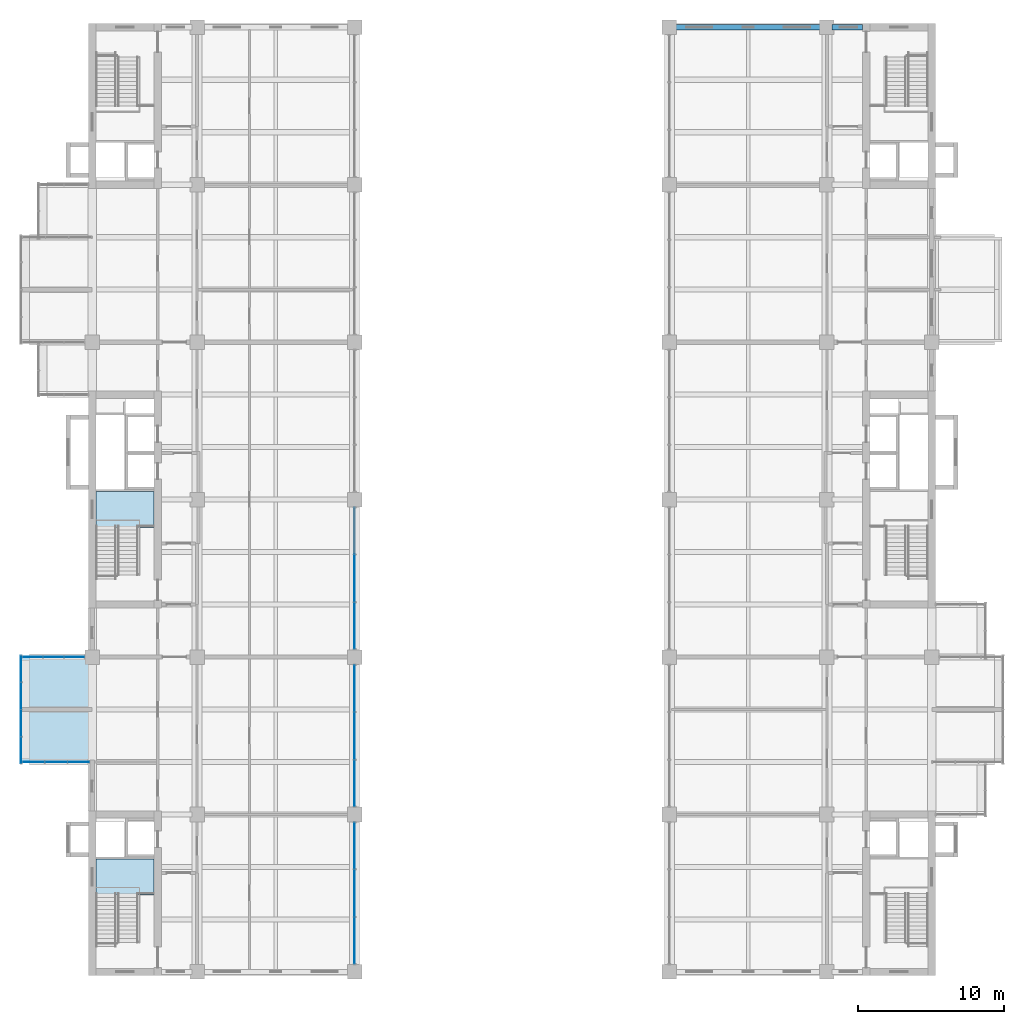
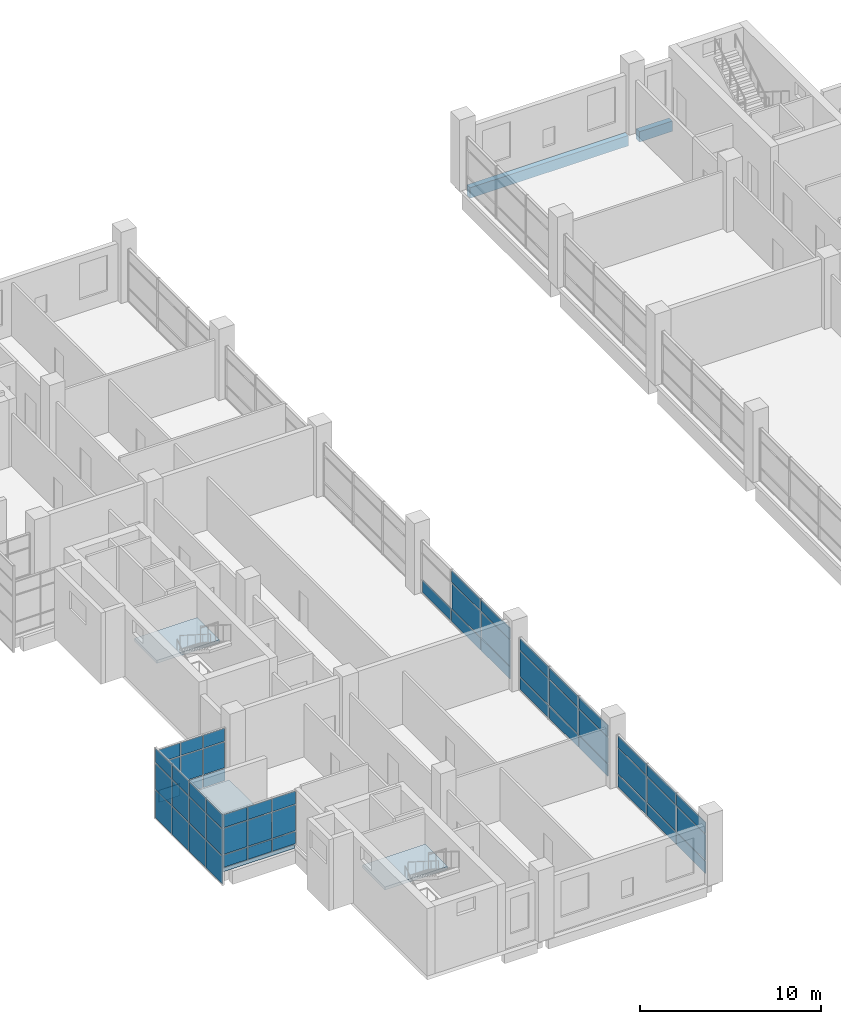
# One storey, part 16 of 30: 55 plates, 3 slabs, 2 beams, 8 elements without a shape of their own.
"""IFC4 building model written with IfcOpenShell, lengths in metres."""

from ifc_helpers import new_model, si_unit, direction, frame, origin, origin_2d, place, context, subcontext, project, spatial, polyline, rectangle, outline, extrude, material, layer, layer_set, material_profile, profile_set, type_object, element, aggregate, save


model = new_model("IFC4")

# Units and contexts
model_context = context("Model", 3, precision=1e-05, world=origin(), true_north=direction((0.0, 1.0)))
body_context = subcontext(model_context, "Body", "Model", "MODEL_VIEW")
ifc_project = project(units=[si_unit("LENGTHUNIT", "METRE"), si_unit("AREAUNIT", "SQUARE_METRE"), si_unit("VOLUMEUNIT", "CUBIC_METRE"), si_unit("PLANEANGLEUNIT", "RADIAN"), si_unit("MASSUNIT", "GRAM", prefix="KILO")], contexts=[model_context])

# Site, building, storey
site_placement = place(None, origin())
site = spatial("IfcSite", under=ifc_project, at=site_placement, CompositionType="ELEMENT")
building_placement = place(site_placement, origin())
building = spatial("IfcBuilding", under=site, at=building_placement, Name="Basin Gate Institute", CompositionType="ELEMENT")
storey_placement = place(building_placement, frame((0.0, 0.0, 36.60009765625)))
storey = spatial("IfcBuildingStorey", under=building, at=storey_placement, Name="L07", CompositionType="ELEMENT", Elevation=36.60009765625)

# Beams
ifc_material_1 = material(Name="Concrete 40 MPa", Category="concrete")
ifc_material_profile = material_profile(ifc_material_1, rectangle(XDim=0.35009765625, YDim=0.699951171875, at=origin_2d()), Name="Beam B1 350 x 700")
ifc_profile_set = profile_set([ifc_material_profile], Name="Concrete 40 MPa")
beam_type = type_object("IfcBeamType", Name="Beam B1 R120", PredefinedType="BEAM", material=ifc_profile_set)
beam_1_placement = place(storey_placement, frame((111.25, 99.89990234375, -0.60009765625), z_axis=(-1.0, 0.0, 0.0), x_axis=(0.0, -1.0, 0.0)))
element("IfcBeam", 1, at=beam_1_placement, inside=storey, type_object=beam_type, material=ifc_profile_set, Name="BEAM/L07/E/EW/19", PredefinedType="BEAM", context=body_context, shape_type="SweptSolid", body=[
    extrude(rectangle(XDim=0.35009765625, YDim=0.699951171875, at=origin_2d()), origin(), (0.0, 0.0, 1.0), 10.10009765625),
])
beam_2_placement = place(storey_placement, frame((114.050048828125, 99.89990234375, -0.60009765625), z_axis=(-1.0, 0.0, 0.0), x_axis=(0.0, -1.0, 0.0)))
element("IfcBeam", 2, at=beam_2_placement, inside=storey, type_object=beam_type, material=ifc_profile_set, Name="BEAM/L07/E/CORR/19", PredefinedType="BEAM", context=body_context, shape_type="SweptSolid", body=[
    extrude(rectangle(XDim=0.35009765625, YDim=0.699951171875, at=origin_2d()), origin(), (0.0, 0.0, 1.0), 2.10009765625),
])

# Slab
ifc_material_2 = material(Name="Concrete 40 MPa", Category="concrete")
ifc_layer_1 = layer(ifc_material_2, 0.25)
ifc_layer_set_1 = layer_set([ifc_layer_1], Name="Concrete 40 MPa")
slab_type_1 = type_object("IfcSlabType", Name="Slab SL4 R120", PredefinedType="FLOOR", material=ifc_layer_set_1)
slab_1_placement = place(storey_placement, frame((0.0, 0.0, -0.25)))
element("IfcSlab", 3, at=slab_1_placement, inside=storey, type_object=slab_type_1, material=ifc_layer_set_1, Name="SLAB/L07/WK12", PredefinedType="FLOOR", context=body_context, shape_type="SweptSolid", body=[
    extrude(outline(polyline([(60.949951171875, 49.5), (56.39990234375, 49.5), (56.39990234375, 56.699951171875), (60.949951171875, 56.699951171875), (60.949951171875, 49.5)])), origin(), (0.0, 0.0, 1.0), 0.25),
])

# Curtain wall, plates
ifc_material_3 = material(Name="Aluminium-framed glazing", Category="aluminium")
ifc_layer_2 = layer(ifc_material_3, 0.199951171875)
ifc_layer_set_2 = layer_set([ifc_layer_2], Name="Atrium curtain wall CW2")
curtain_wall_type_1 = type_object("IfcCurtainWallType", Name="Atrium curtain wall CW2", PredefinedType="NOTDEFINED", material=ifc_layer_set_2)
curtain_wall_1_placement = place(storey_placement, origin())
curtain_wall_1 = element("IfcCurtainWall", 4, at=curtain_wall_1_placement, inside=storey, type_object=curtain_wall_type_1, material=ifc_layer_set_2, Name="Atrium curtain wall W wing atrium bay 1 L07", PredefinedType="NOTDEFINED")
ifc_material_4 = material(Name="Aluminium insulated spandrel panel", Category="aluminium")
ifc_layer_3 = layer(ifc_material_4, 0.050048828125)
ifc_layer_set_3 = layer_set([ifc_layer_3], Name="Spandrel panel PN2")
plate_type_1 = type_object("IfcPlateType", Name="Spandrel panel PN2", PredefinedType="CURTAIN_PANEL", material=ifc_layer_set_3)
plate_1_placement = place(storey_placement, frame((79.199951171875, 37.248291015625, 0.059814453125), z_axis=(0.0, 0.0, 1.0), x_axis=(0.0, 1.0, 0.0)))
plate_1 = element("IfcPlate", 5, at=plate_1_placement, type_object=plate_type_1, material=ifc_layer_set_3, Name="CW2 spandrel panel 1.1", PredefinedType="CURTAIN_PANEL", context=body_context, shape_type="SweptSolid", body=[
    extrude(rectangle(XDim=3.1767578125, YDim=0.050048828125, at=origin_2d()), origin(), (0.0, 0.0, 1.0), 0.81005859375),
])
plate_2_placement = place(storey_placement, frame((79.199951171875, 37.248291015625, 2.72998046875), z_axis=(0.0, 0.0, 1.0), x_axis=(0.0, 1.0, 0.0)))
plate_2 = element("IfcPlate", 6, at=plate_2_placement, type_object=plate_type_1, material=ifc_layer_set_3, Name="CW2 spandrel panel 1.3", PredefinedType="CURTAIN_PANEL", context=body_context, shape_type="SweptSolid", body=[
    extrude(rectangle(XDim=3.1767578125, YDim=0.050048828125, at=origin_2d()), origin(), (0.0, 0.0, 1.0), 0.760009765625),
])
plate_3_placement = place(storey_placement, frame((79.199951171875, 40.5, 0.059814453125), z_axis=(0.0, 0.0, 1.0), x_axis=(0.0, 1.0, 0.0)))
plate_3 = element("IfcPlate", 7, at=plate_3_placement, type_object=plate_type_1, material=ifc_layer_set_3, Name="CW2 spandrel panel 2.1", PredefinedType="CURTAIN_PANEL", context=body_context, shape_type="SweptSolid", body=[
    extrude(rectangle(XDim=3.206787109375, YDim=0.050048828125, at=origin_2d()), origin(), (0.0, 0.0, 1.0), 0.81005859375),
])
plate_4_placement = place(storey_placement, frame((79.199951171875, 40.5, 2.72998046875), z_axis=(0.0, 0.0, 1.0), x_axis=(0.0, 1.0, 0.0)))
plate_4 = element("IfcPlate", 8, at=plate_4_placement, type_object=plate_type_1, material=ifc_layer_set_3, Name="CW2 spandrel panel 2.3", PredefinedType="CURTAIN_PANEL", context=body_context, shape_type="SweptSolid", body=[
    extrude(rectangle(XDim=3.206787109375, YDim=0.050048828125, at=origin_2d()), origin(), (0.0, 0.0, 1.0), 0.760009765625),
])
plate_5_placement = place(storey_placement, frame((79.199951171875, 43.751708984375, 0.059814453125), z_axis=(0.0, 0.0, 1.0), x_axis=(0.0, 1.0, 0.0)))
plate_5 = element("IfcPlate", 9, at=plate_5_placement, type_object=plate_type_1, material=ifc_layer_set_3, Name="CW2 spandrel panel 3.1", PredefinedType="CURTAIN_PANEL", context=body_context, shape_type="SweptSolid", body=[
    extrude(rectangle(XDim=3.1767578125, YDim=0.050048828125, at=origin_2d()), origin(), (0.0, 0.0, 1.0), 0.81005859375),
])
plate_6_placement = place(storey_placement, frame((79.199951171875, 43.751708984375, 2.72998046875), z_axis=(0.0, 0.0, 1.0), x_axis=(0.0, 1.0, 0.0)))
plate_6 = element("IfcPlate", 10, at=plate_6_placement, type_object=plate_type_1, material=ifc_layer_set_3, Name="CW2 spandrel panel 3.3", PredefinedType="CURTAIN_PANEL", context=body_context, shape_type="SweptSolid", body=[
    extrude(rectangle(XDim=3.1767578125, YDim=0.050048828125, at=origin_2d()), origin(), (0.0, 0.0, 1.0), 0.760009765625),
])

curtain_wall_2_placement = place(storey_placement, origin())
curtain_wall_2 = element("IfcCurtainWall", 11, at=curtain_wall_2_placement, inside=storey, type_object=curtain_wall_type_1, material=ifc_layer_set_2, Name="Atrium curtain wall W wing atrium bay 2 L07", PredefinedType="NOTDEFINED")
plate_7_placement = place(storey_placement, frame((79.199951171875, 48.04833984375, 0.059814453125), z_axis=(0.0, 0.0, 1.0), x_axis=(0.0, 1.0, 0.0)))
plate_7 = element("IfcPlate", 12, at=plate_7_placement, type_object=plate_type_1, material=ifc_layer_set_3, Name="CW2 spandrel panel 1.1", PredefinedType="CURTAIN_PANEL", context=body_context, shape_type="SweptSolid", body=[
    extrude(rectangle(XDim=3.1767578125, YDim=0.050048828125, at=origin_2d()), origin(), (0.0, 0.0, 1.0), 0.81005859375),
])
plate_8_placement = place(storey_placement, frame((79.199951171875, 48.04833984375, 2.72998046875), z_axis=(0.0, 0.0, 1.0), x_axis=(0.0, 1.0, 0.0)))
plate_8 = element("IfcPlate", 13, at=plate_8_placement, type_object=plate_type_1, material=ifc_layer_set_3, Name="CW2 spandrel panel 1.3", PredefinedType="CURTAIN_PANEL", context=body_context, shape_type="SweptSolid", body=[
    extrude(rectangle(XDim=3.1767578125, YDim=0.050048828125, at=origin_2d()), origin(), (0.0, 0.0, 1.0), 0.760009765625),
])
plate_9_placement = place(storey_placement, frame((79.199951171875, 51.300048828125, 0.059814453125), z_axis=(0.0, 0.0, 1.0), x_axis=(0.0, 1.0, 0.0)))
plate_9 = element("IfcPlate", 14, at=plate_9_placement, type_object=plate_type_1, material=ifc_layer_set_3, Name="CW2 spandrel panel 2.1", PredefinedType="CURTAIN_PANEL", context=body_context, shape_type="SweptSolid", body=[
    extrude(rectangle(XDim=3.206787109375, YDim=0.050048828125, at=origin_2d()), origin(), (0.0, 0.0, 1.0), 0.81005859375),
])
plate_10_placement = place(storey_placement, frame((79.199951171875, 51.300048828125, 2.72998046875), z_axis=(0.0, 0.0, 1.0), x_axis=(0.0, 1.0, 0.0)))
plate_10 = element("IfcPlate", 15, at=plate_10_placement, type_object=plate_type_1, material=ifc_layer_set_3, Name="CW2 spandrel panel 2.3", PredefinedType="CURTAIN_PANEL", context=body_context, shape_type="SweptSolid", body=[
    extrude(rectangle(XDim=3.206787109375, YDim=0.050048828125, at=origin_2d()), origin(), (0.0, 0.0, 1.0), 0.760009765625),
])
plate_11_placement = place(storey_placement, frame((79.199951171875, 54.5517578125, 0.059814453125), z_axis=(0.0, 0.0, 1.0), x_axis=(0.0, 1.0, 0.0)))
plate_11 = element("IfcPlate", 16, at=plate_11_placement, type_object=plate_type_1, material=ifc_layer_set_3, Name="CW2 spandrel panel 3.1", PredefinedType="CURTAIN_PANEL", context=body_context, shape_type="SweptSolid", body=[
    extrude(rectangle(XDim=3.1767578125, YDim=0.050048828125, at=origin_2d()), origin(), (0.0, 0.0, 1.0), 0.81005859375),
])
plate_12_placement = place(storey_placement, frame((79.199951171875, 54.5517578125, 2.72998046875), z_axis=(0.0, 0.0, 1.0), x_axis=(0.0, 1.0, 0.0)))
plate_12 = element("IfcPlate", 17, at=plate_12_placement, type_object=plate_type_1, material=ifc_layer_set_3, Name="CW2 spandrel panel 3.3", PredefinedType="CURTAIN_PANEL", context=body_context, shape_type="SweptSolid", body=[
    extrude(rectangle(XDim=3.1767578125, YDim=0.050048828125, at=origin_2d()), origin(), (0.0, 0.0, 1.0), 0.760009765625),
])

curtain_wall_3_placement = place(storey_placement, origin())
curtain_wall_3 = element("IfcCurtainWall", 18, at=curtain_wall_3_placement, inside=storey, type_object=curtain_wall_type_1, material=ifc_layer_set_2, Name="Atrium curtain wall W wing atrium bay 3 L07", PredefinedType="NOTDEFINED")
plate_13_placement = place(storey_placement, frame((79.199951171875, 58.848388671875, 0.059814453125), z_axis=(0.0, 0.0, 1.0), x_axis=(0.0, 1.0, 0.0)))
plate_13 = element("IfcPlate", 19, at=plate_13_placement, type_object=plate_type_1, material=ifc_layer_set_3, Name="CW2 spandrel panel 1.1", PredefinedType="CURTAIN_PANEL", context=body_context, shape_type="SweptSolid", body=[
    extrude(rectangle(XDim=3.1767578125, YDim=0.050048828125, at=origin_2d()), origin(), (0.0, 0.0, 1.0), 0.81005859375),
])
plate_14_placement = place(storey_placement, frame((79.199951171875, 58.848388671875, 2.72998046875), z_axis=(0.0, 0.0, 1.0), x_axis=(0.0, 1.0, 0.0)))
plate_14 = element("IfcPlate", 20, at=plate_14_placement, type_object=plate_type_1, material=ifc_layer_set_3, Name="CW2 spandrel panel 1.3", PredefinedType="CURTAIN_PANEL", context=body_context, shape_type="SweptSolid", body=[
    extrude(rectangle(XDim=3.1767578125, YDim=0.050048828125, at=origin_2d()), origin(), (0.0, 0.0, 1.0), 0.760009765625),
])
plate_15_placement = place(storey_placement, frame((79.199951171875, 62.10009765625, 0.059814453125), z_axis=(0.0, 0.0, 1.0), x_axis=(0.0, 1.0, 0.0)))
plate_15 = element("IfcPlate", 21, at=plate_15_placement, type_object=plate_type_1, material=ifc_layer_set_3, Name="CW2 spandrel panel 2.1", PredefinedType="CURTAIN_PANEL", context=body_context, shape_type="SweptSolid", body=[
    extrude(rectangle(XDim=3.206787109375, YDim=0.050048828125, at=origin_2d()), origin(), (0.0, 0.0, 1.0), 0.81005859375),
])
plate_16_placement = place(storey_placement, frame((79.199951171875, 62.10009765625, 2.72998046875), z_axis=(0.0, 0.0, 1.0), x_axis=(0.0, 1.0, 0.0)))
plate_16 = element("IfcPlate", 22, at=plate_16_placement, type_object=plate_type_1, material=ifc_layer_set_3, Name="CW2 spandrel panel 2.3", PredefinedType="CURTAIN_PANEL", context=body_context, shape_type="SweptSolid", body=[
    extrude(rectangle(XDim=3.206787109375, YDim=0.050048828125, at=origin_2d()), origin(), (0.0, 0.0, 1.0), 0.760009765625),
])
plate_17_placement = place(storey_placement, frame((79.199951171875, 65.3515625, 0.059814453125), z_axis=(0.0, 0.0, 1.0), x_axis=(0.0, 1.0, 0.0)))
plate_17 = element("IfcPlate", 23, at=plate_17_placement, type_object=plate_type_1, material=ifc_layer_set_3, Name="CW2 spandrel panel 3.1", PredefinedType="CURTAIN_PANEL", context=body_context, shape_type="SweptSolid", body=[
    extrude(rectangle(XDim=3.1767578125, YDim=0.050048828125, at=origin_2d()), origin(), (0.0, 0.0, 1.0), 0.81005859375),
])

ifc_material_5 = material(Name="Aluminium-framed glazing", Category="aluminium")
ifc_layer_4 = layer(ifc_material_5, 0.14990234375)
ifc_layer_set_4 = layer_set([ifc_layer_4], Name="Capsule front curtain wall CW1")
curtain_wall_type_2 = type_object("IfcCurtainWallType", Name="Capsule front curtain wall CW1", PredefinedType="NOTDEFINED", material=ifc_layer_set_4)
curtain_wall_4_placement = place(storey_placement, origin())
curtain_wall_4 = element("IfcCurtainWall", 24, at=curtain_wall_4_placement, inside=storey, type_object=curtain_wall_type_2, material=ifc_layer_set_4, Name="Capsule front curtain wall W wing capsule end L07 line 5", PredefinedType="NOTDEFINED")
plate_18_placement = place(storey_placement, frame((57.1875, 49.5, 0.059814453125), z_axis=(0.0, 0.0, 1.0), x_axis=(1.0, 0.0, 0.0)))
plate_18 = element("IfcPlate", 25, at=plate_18_placement, type_object=plate_type_1, material=ifc_layer_set_3, Name="CW1 spandrel panel 1.1", PredefinedType="CURTAIN_PANEL", context=body_context, shape_type="SweptSolid", body=[
    extrude(rectangle(XDim=1.47509765625, YDim=0.050048828125, at=origin_2d()), origin(), (0.0, 0.0, 1.0), 0.81005859375),
])
plate_19_placement = place(storey_placement, frame((58.72509765625, 49.5, 0.059814453125), z_axis=(0.0, 0.0, 1.0), x_axis=(1.0, 0.0, 0.0)))
plate_19 = element("IfcPlate", 26, at=plate_19_placement, type_object=plate_type_1, material=ifc_layer_set_3, Name="CW1 spandrel panel 2.1", PredefinedType="CURTAIN_PANEL", context=body_context, shape_type="SweptSolid", body=[
    extrude(rectangle(XDim=1.5, YDim=0.050048828125, at=origin_2d()), origin(), (0.0, 0.0, 1.0), 0.81005859375),
])
plate_20_placement = place(storey_placement, frame((60.262451171875, 49.5, 0.059814453125), z_axis=(0.0, 0.0, 1.0), x_axis=(1.0, 0.0, 0.0)))
plate_20 = element("IfcPlate", 27, at=plate_20_placement, type_object=plate_type_1, material=ifc_layer_set_3, Name="CW1 spandrel panel 3.1", PredefinedType="CURTAIN_PANEL", context=body_context, shape_type="SweptSolid", body=[
    extrude(rectangle(XDim=1.47509765625, YDim=0.050048828125, at=origin_2d()), origin(), (0.0, 0.0, 1.0), 0.81005859375),
])

curtain_wall_5_placement = place(storey_placement, origin())
curtain_wall_5 = element("IfcCurtainWall", 28, at=curtain_wall_5_placement, inside=storey, type_object=curtain_wall_type_2, material=ifc_layer_set_4, Name="Capsule front curtain wall W wing capsule end L07 line 7", PredefinedType="NOTDEFINED")
plate_21_placement = place(storey_placement, frame((57.129150390625, 56.699951171875, 0.059814453125), z_axis=(0.0, 0.0, 1.0), x_axis=(1.0, 0.0, 0.0)))
plate_21 = element("IfcPlate", 29, at=plate_21_placement, type_object=plate_type_1, material=ifc_layer_set_3, Name="CW1 spandrel panel 1.1", PredefinedType="CURTAIN_PANEL", context=body_context, shape_type="SweptSolid", body=[
    extrude(rectangle(XDim=1.3583984375, YDim=0.050048828125, at=origin_2d()), origin(), (0.0, 0.0, 1.0), 0.81005859375),
])
plate_22_placement = place(storey_placement, frame((58.550048828125, 56.699951171875, 0.059814453125), z_axis=(0.0, 0.0, 1.0), x_axis=(1.0, 0.0, 0.0)))
plate_22 = element("IfcPlate", 30, at=plate_22_placement, type_object=plate_type_1, material=ifc_layer_set_3, Name="CW1 spandrel panel 2.1", PredefinedType="CURTAIN_PANEL", context=body_context, shape_type="SweptSolid", body=[
    extrude(rectangle(XDim=1.38330078125, YDim=0.050048828125, at=origin_2d()), origin(), (0.0, 0.0, 1.0), 0.81005859375),
])
plate_23_placement = place(storey_placement, frame((59.970947265625, 56.699951171875, 0.059814453125), z_axis=(0.0, 0.0, 1.0), x_axis=(1.0, 0.0, 0.0)))
plate_23 = element("IfcPlate", 31, at=plate_23_placement, type_object=plate_type_1, material=ifc_layer_set_3, Name="CW1 spandrel panel 3.1", PredefinedType="CURTAIN_PANEL", context=body_context, shape_type="SweptSolid", body=[
    extrude(rectangle(XDim=1.3583984375, YDim=0.050048828125, at=origin_2d()), origin(), (0.0, 0.0, 1.0), 0.81005859375),
])

curtain_wall_6_placement = place(storey_placement, origin())
curtain_wall_6 = element("IfcCurtainWall", 32, at=curtain_wall_6_placement, inside=storey, type_object=curtain_wall_type_2, material=ifc_layer_set_4, Name="Capsule front curtain wall W wing capsule 1 L07 front 2", PredefinedType="NOTDEFINED")
plate_24_placement = place(storey_placement, frame((56.324951171875, 50.300048828125, -0.990234375), z_axis=(0.0, 0.0, 1.0), x_axis=(0.0, 1.0, 0.0)))
plate_24 = element("IfcPlate", 33, at=plate_24_placement, type_object=plate_type_1, material=ifc_layer_set_3, Name="CW1 spandrel panel 1.1", PredefinedType="CURTAIN_PANEL", context=body_context, shape_type="SweptSolid", body=[
    extrude(rectangle(XDim=1.800048828125, YDim=0.050048828125, at=origin_2d()), origin(), (0.0, 0.0, 1.0), 1.860107421875),
])
plate_25_placement = place(storey_placement, frame((56.324951171875, 52.16259765625, -0.990234375), z_axis=(0.0, 0.0, 1.0), x_axis=(0.0, 1.0, 0.0)))
plate_25 = element("IfcPlate", 34, at=plate_25_placement, type_object=plate_type_1, material=ifc_layer_set_3, Name="CW1 spandrel panel 2.1", PredefinedType="CURTAIN_PANEL", context=body_context, shape_type="SweptSolid", body=[
    extrude(rectangle(XDim=1.824951171875, YDim=0.050048828125, at=origin_2d()), origin(), (0.0, 0.0, 1.0), 1.860107421875),
])
plate_26_placement = place(storey_placement, frame((56.324951171875, 54.03759765625, -0.990234375), z_axis=(0.0, 0.0, 1.0), x_axis=(0.0, 1.0, 0.0)))
plate_26 = element("IfcPlate", 35, at=plate_26_placement, type_object=plate_type_1, material=ifc_layer_set_3, Name="CW1 spandrel panel 3.1", PredefinedType="CURTAIN_PANEL", context=body_context, shape_type="SweptSolid", body=[
    extrude(rectangle(XDim=1.824951171875, YDim=0.050048828125, at=origin_2d()), origin(), (0.0, 0.0, 1.0), 1.860107421875),
])
plate_27_placement = place(storey_placement, frame((56.324951171875, 55.89990234375, -0.990234375), z_axis=(0.0, 0.0, 1.0), x_axis=(0.0, 1.0, 0.0)))
plate_27 = element("IfcPlate", 36, at=plate_27_placement, type_object=plate_type_1, material=ifc_layer_set_3, Name="CW1 spandrel panel 4.1", PredefinedType="CURTAIN_PANEL", context=body_context, shape_type="SweptSolid", body=[
    extrude(rectangle(XDim=1.800048828125, YDim=0.050048828125, at=origin_2d()), origin(), (0.0, 0.0, 1.0), 1.860107421875),
])

# Stair, slab
ifc_material_6 = material(Name="Concrete 40 MPa", Category="concrete")
stair_type = type_object("IfcStairType", Name="Stair ST", PredefinedType="HALF_TURN_STAIR", material=ifc_material_6)
stair_1_placement = place(storey_placement, origin())
stair_1 = element("IfcStair", 37, at=stair_1_placement, inside=storey, type_object=stair_type, material=ifc_material_6, Name="Special safe stair ST-WS L07", PredefinedType="HALF_TURN_STAIR")
ifc_material_7 = material(Name="Concrete 40 MPa", Category="concrete")
ifc_layer_5 = layer(ifc_material_7, 0.199951171875)
ifc_layer_set_5 = layer_set([ifc_layer_5], Name="Concrete 40 MPa")
slab_type_2 = type_object("IfcSlabType", Name="Stair landing LN REI 120", PredefinedType="LANDING", material=ifc_layer_set_5)
slab_2_placement = place(storey_placement, frame((0.0, 0.0, 2.288818359375)))
slab_2 = element("IfcSlab", 38, at=slab_2_placement, type_object=slab_type_2, material=ifc_layer_set_5, Name="Stair landing ST-WS-L1 L07", PredefinedType="LANDING", context=body_context, shape_type="SweptSolid", body=[
    extrude(outline(polyline([(61.449951171875, 40.3701171875), (65.449951171875, 40.3701171875), (65.449951171875, 42.85009765625), (61.449951171875, 42.85009765625), (61.449951171875, 40.3701171875)])), origin(), (0.0, 0.0, 1.0), 0.199951171875),
])
aggregate(stair_1, [slab_2])

stair_2_placement = place(storey_placement, origin())
stair_2 = element("IfcStair", 39, at=stair_2_placement, inside=storey, type_object=stair_type, material=ifc_material_6, Name="Special safe stair ST-WM L07", PredefinedType="HALF_TURN_STAIR")
slab_3_placement = place(storey_placement, frame((0.0, 0.0, 2.288818359375)))
slab_3 = element("IfcSlab", 40, at=slab_3_placement, type_object=slab_type_2, material=ifc_layer_set_5, Name="Stair landing ST-WM-L1 L07", PredefinedType="LANDING", context=body_context, shape_type="SweptSolid", body=[
    extrude(outline(polyline([(61.449951171875, 65.570068359375), (65.449951171875, 65.570068359375), (65.449951171875, 68.050048828125), (61.449951171875, 68.050048828125), (61.449951171875, 65.570068359375)])), origin(), (0.0, 0.0, 1.0), 0.199951171875),
])
aggregate(stair_2, [slab_3])

# Plate
ifc_material_8 = material(Name="Double glazed unit")
ifc_layer_6 = layer(ifc_material_8, 0.028076171875)
ifc_layer_set_6 = layer_set([ifc_layer_6], Name="Vision panel PN1")
plate_type_2 = type_object("IfcPlateType", Name="Vision panel PN1", PredefinedType="CURTAIN_PANEL", material=ifc_layer_set_6)
plate_28_placement = place(storey_placement, frame((79.199951171875, 37.248291015625, 0.9296875), z_axis=(0.0, 0.0, 1.0), x_axis=(0.0, 1.0, 0.0)))
plate_28 = element("IfcPlate", 41, at=plate_28_placement, type_object=plate_type_2, material=ifc_layer_set_6, Name="CW2 vision panel 1.2", PredefinedType="CURTAIN_PANEL", context=body_context, shape_type="SweptSolid", body=[
    extrude(rectangle(XDim=3.1767578125, YDim=0.028076171875, at=origin_2d()), origin(), (0.0, 0.0, 1.0), 1.739990234375),
])

plate_29_placement = place(storey_placement, frame((79.199951171875, 40.5, 0.9296875), z_axis=(0.0, 0.0, 1.0), x_axis=(0.0, 1.0, 0.0)))
plate_29 = element("IfcPlate", 42, at=plate_29_placement, type_object=plate_type_2, material=ifc_layer_set_6, Name="CW2 vision panel 2.2", PredefinedType="CURTAIN_PANEL", context=body_context, shape_type="SweptSolid", body=[
    extrude(rectangle(XDim=3.206787109375, YDim=0.028076171875, at=origin_2d()), origin(), (0.0, 0.0, 1.0), 1.739990234375),
])

plate_30_placement = place(storey_placement, frame((79.199951171875, 43.751708984375, 0.9296875), z_axis=(0.0, 0.0, 1.0), x_axis=(0.0, 1.0, 0.0)))
plate_30 = element("IfcPlate", 43, at=plate_30_placement, type_object=plate_type_2, material=ifc_layer_set_6, Name="CW2 vision panel 3.2", PredefinedType="CURTAIN_PANEL", context=body_context, shape_type="SweptSolid", body=[
    extrude(rectangle(XDim=3.1767578125, YDim=0.028076171875, at=origin_2d()), origin(), (0.0, 0.0, 1.0), 1.739990234375),
])

aggregate(curtain_wall_1, [plate_1, plate_28, plate_2, plate_3, plate_29, plate_4, plate_5, plate_30, plate_6])

plate_31_placement = place(storey_placement, frame((79.199951171875, 48.04833984375, 0.9296875), z_axis=(0.0, 0.0, 1.0), x_axis=(0.0, 1.0, 0.0)))
plate_31 = element("IfcPlate", 44, at=plate_31_placement, type_object=plate_type_2, material=ifc_layer_set_6, Name="CW2 vision panel 1.2", PredefinedType="CURTAIN_PANEL", context=body_context, shape_type="SweptSolid", body=[
    extrude(rectangle(XDim=3.1767578125, YDim=0.028076171875, at=origin_2d()), origin(), (0.0, 0.0, 1.0), 1.739990234375),
])

plate_32_placement = place(storey_placement, frame((79.199951171875, 51.300048828125, 0.9296875), z_axis=(0.0, 0.0, 1.0), x_axis=(0.0, 1.0, 0.0)))
plate_32 = element("IfcPlate", 45, at=plate_32_placement, type_object=plate_type_2, material=ifc_layer_set_6, Name="CW2 vision panel 2.2", PredefinedType="CURTAIN_PANEL", context=body_context, shape_type="SweptSolid", body=[
    extrude(rectangle(XDim=3.206787109375, YDim=0.028076171875, at=origin_2d()), origin(), (0.0, 0.0, 1.0), 1.739990234375),
])

plate_33_placement = place(storey_placement, frame((79.199951171875, 54.5517578125, 0.9296875), z_axis=(0.0, 0.0, 1.0), x_axis=(0.0, 1.0, 0.0)))
plate_33 = element("IfcPlate", 46, at=plate_33_placement, type_object=plate_type_2, material=ifc_layer_set_6, Name="CW2 vision panel 3.2", PredefinedType="CURTAIN_PANEL", context=body_context, shape_type="SweptSolid", body=[
    extrude(rectangle(XDim=3.1767578125, YDim=0.028076171875, at=origin_2d()), origin(), (0.0, 0.0, 1.0), 1.739990234375),
])

aggregate(curtain_wall_2, [plate_7, plate_31, plate_8, plate_9, plate_32, plate_10, plate_11, plate_33, plate_12])

plate_34_placement = place(storey_placement, frame((79.199951171875, 58.848388671875, 0.9296875), z_axis=(0.0, 0.0, 1.0), x_axis=(0.0, 1.0, 0.0)))
plate_34 = element("IfcPlate", 47, at=plate_34_placement, type_object=plate_type_2, material=ifc_layer_set_6, Name="CW2 vision panel 1.2", PredefinedType="CURTAIN_PANEL", context=body_context, shape_type="SweptSolid", body=[
    extrude(rectangle(XDim=3.1767578125, YDim=0.028076171875, at=origin_2d()), origin(), (0.0, 0.0, 1.0), 1.739990234375),
])

plate_35_placement = place(storey_placement, frame((79.199951171875, 62.10009765625, 0.9296875), z_axis=(0.0, 0.0, 1.0), x_axis=(0.0, 1.0, 0.0)))
plate_35 = element("IfcPlate", 48, at=plate_35_placement, type_object=plate_type_2, material=ifc_layer_set_6, Name="CW2 vision panel 2.2", PredefinedType="CURTAIN_PANEL", context=body_context, shape_type="SweptSolid", body=[
    extrude(rectangle(XDim=3.206787109375, YDim=0.028076171875, at=origin_2d()), origin(), (0.0, 0.0, 1.0), 1.739990234375),
])

aggregate(curtain_wall_3, [plate_13, plate_34, plate_14, plate_15, plate_35, plate_16, plate_17])

plate_36_placement = place(storey_placement, frame((57.1875, 49.5, 0.9296875), z_axis=(0.0, 0.0, 1.0), x_axis=(1.0, 0.0, 0.0)))
plate_36 = element("IfcPlate", 49, at=plate_36_placement, type_object=plate_type_2, material=ifc_layer_set_6, Name="CW1 vision panel 1.2", PredefinedType="CURTAIN_PANEL", context=body_context, shape_type="SweptSolid", body=[
    extrude(rectangle(XDim=1.47509765625, YDim=0.028076171875, at=origin_2d()), origin(), (0.0, 0.0, 1.0), 1.739990234375),
])

plate_37_placement = place(storey_placement, frame((57.1875, 49.5, 2.72998046875), z_axis=(0.0, 0.0, 1.0), x_axis=(1.0, 0.0, 0.0)))
plate_37 = element("IfcPlate", 50, at=plate_37_placement, type_object=plate_type_2, material=ifc_layer_set_6, Name="CW1 vision panel 1.3", PredefinedType="CURTAIN_PANEL", context=body_context, shape_type="SweptSolid", body=[
    extrude(rectangle(XDim=1.47509765625, YDim=0.028076171875, at=origin_2d()), origin(), (0.0, 0.0, 1.0), 0.860107421875),
])

plate_38_placement = place(storey_placement, frame((58.72509765625, 49.5, 0.9296875), z_axis=(0.0, 0.0, 1.0), x_axis=(1.0, 0.0, 0.0)))
plate_38 = element("IfcPlate", 51, at=plate_38_placement, type_object=plate_type_2, material=ifc_layer_set_6, Name="CW1 vision panel 2.2", PredefinedType="CURTAIN_PANEL", context=body_context, shape_type="SweptSolid", body=[
    extrude(rectangle(XDim=1.5, YDim=0.028076171875, at=origin_2d()), origin(), (0.0, 0.0, 1.0), 1.739990234375),
])

plate_39_placement = place(storey_placement, frame((58.72509765625, 49.5, 2.72998046875), z_axis=(0.0, 0.0, 1.0), x_axis=(1.0, 0.0, 0.0)))
plate_39 = element("IfcPlate", 52, at=plate_39_placement, type_object=plate_type_2, material=ifc_layer_set_6, Name="CW1 vision panel 2.3", PredefinedType="CURTAIN_PANEL", context=body_context, shape_type="SweptSolid", body=[
    extrude(rectangle(XDim=1.5, YDim=0.028076171875, at=origin_2d()), origin(), (0.0, 0.0, 1.0), 0.860107421875),
])

plate_40_placement = place(storey_placement, frame((60.262451171875, 49.5, 0.9296875), z_axis=(0.0, 0.0, 1.0), x_axis=(1.0, 0.0, 0.0)))
plate_40 = element("IfcPlate", 53, at=plate_40_placement, type_object=plate_type_2, material=ifc_layer_set_6, Name="CW1 vision panel 3.2", PredefinedType="CURTAIN_PANEL", context=body_context, shape_type="SweptSolid", body=[
    extrude(rectangle(XDim=1.47509765625, YDim=0.028076171875, at=origin_2d()), origin(), (0.0, 0.0, 1.0), 1.739990234375),
])

plate_41_placement = place(storey_placement, frame((60.262451171875, 49.5, 2.72998046875), z_axis=(0.0, 0.0, 1.0), x_axis=(1.0, 0.0, 0.0)))
plate_41 = element("IfcPlate", 54, at=plate_41_placement, type_object=plate_type_2, material=ifc_layer_set_6, Name="CW1 vision panel 3.3", PredefinedType="CURTAIN_PANEL", context=body_context, shape_type="SweptSolid", body=[
    extrude(rectangle(XDim=1.47509765625, YDim=0.028076171875, at=origin_2d()), origin(), (0.0, 0.0, 1.0), 0.860107421875),
])

aggregate(curtain_wall_4, [plate_18, plate_36, plate_37, plate_19, plate_38, plate_39, plate_20, plate_40, plate_41])

plate_42_placement = place(storey_placement, frame((57.129150390625, 56.699951171875, 0.9296875), z_axis=(0.0, 0.0, 1.0), x_axis=(1.0, 0.0, 0.0)))
plate_42 = element("IfcPlate", 55, at=plate_42_placement, type_object=plate_type_2, material=ifc_layer_set_6, Name="CW1 vision panel 1.2", PredefinedType="CURTAIN_PANEL", context=body_context, shape_type="SweptSolid", body=[
    extrude(rectangle(XDim=1.3583984375, YDim=0.028076171875, at=origin_2d()), origin(), (0.0, 0.0, 1.0), 1.739990234375),
])

plate_43_placement = place(storey_placement, frame((57.129150390625, 56.699951171875, 2.72998046875), z_axis=(0.0, 0.0, 1.0), x_axis=(1.0, 0.0, 0.0)))
plate_43 = element("IfcPlate", 56, at=plate_43_placement, type_object=plate_type_2, material=ifc_layer_set_6, Name="CW1 vision panel 1.3", PredefinedType="CURTAIN_PANEL", context=body_context, shape_type="SweptSolid", body=[
    extrude(rectangle(XDim=1.3583984375, YDim=0.028076171875, at=origin_2d()), origin(), (0.0, 0.0, 1.0), 0.860107421875),
])

plate_44_placement = place(storey_placement, frame((58.550048828125, 56.699951171875, 0.9296875), z_axis=(0.0, 0.0, 1.0), x_axis=(1.0, 0.0, 0.0)))
plate_44 = element("IfcPlate", 57, at=plate_44_placement, type_object=plate_type_2, material=ifc_layer_set_6, Name="CW1 vision panel 2.2", PredefinedType="CURTAIN_PANEL", context=body_context, shape_type="SweptSolid", body=[
    extrude(rectangle(XDim=1.38330078125, YDim=0.028076171875, at=origin_2d()), origin(), (0.0, 0.0, 1.0), 1.739990234375),
])

plate_45_placement = place(storey_placement, frame((58.550048828125, 56.699951171875, 2.72998046875), z_axis=(0.0, 0.0, 1.0), x_axis=(1.0, 0.0, 0.0)))
plate_45 = element("IfcPlate", 58, at=plate_45_placement, type_object=plate_type_2, material=ifc_layer_set_6, Name="CW1 vision panel 2.3", PredefinedType="CURTAIN_PANEL", context=body_context, shape_type="SweptSolid", body=[
    extrude(rectangle(XDim=1.38330078125, YDim=0.028076171875, at=origin_2d()), origin(), (0.0, 0.0, 1.0), 0.860107421875),
])

plate_46_placement = place(storey_placement, frame((59.970947265625, 56.699951171875, 0.9296875), z_axis=(0.0, 0.0, 1.0), x_axis=(1.0, 0.0, 0.0)))
plate_46 = element("IfcPlate", 59, at=plate_46_placement, type_object=plate_type_2, material=ifc_layer_set_6, Name="CW1 vision panel 3.2", PredefinedType="CURTAIN_PANEL", context=body_context, shape_type="SweptSolid", body=[
    extrude(rectangle(XDim=1.3583984375, YDim=0.028076171875, at=origin_2d()), origin(), (0.0, 0.0, 1.0), 1.739990234375),
])

plate_47_placement = place(storey_placement, frame((59.970947265625, 56.699951171875, 2.72998046875), z_axis=(0.0, 0.0, 1.0), x_axis=(1.0, 0.0, 0.0)))
plate_47 = element("IfcPlate", 60, at=plate_47_placement, type_object=plate_type_2, material=ifc_layer_set_6, Name="CW1 vision panel 3.3", PredefinedType="CURTAIN_PANEL", context=body_context, shape_type="SweptSolid", body=[
    extrude(rectangle(XDim=1.3583984375, YDim=0.028076171875, at=origin_2d()), origin(), (0.0, 0.0, 1.0), 0.860107421875),
])

aggregate(curtain_wall_5, [plate_21, plate_42, plate_43, plate_22, plate_44, plate_45, plate_23, plate_46, plate_47])

plate_48_placement = place(storey_placement, frame((56.324951171875, 50.300048828125, 0.9296875), z_axis=(0.0, 0.0, 1.0), x_axis=(0.0, 1.0, 0.0)))
plate_48 = element("IfcPlate", 61, at=plate_48_placement, type_object=plate_type_2, material=ifc_layer_set_6, Name="CW1 vision panel 1.2", PredefinedType="CURTAIN_PANEL", context=body_context, shape_type="SweptSolid", body=[
    extrude(rectangle(XDim=1.800048828125, YDim=0.028076171875, at=origin_2d()), origin(), (0.0, 0.0, 1.0), 1.739990234375),
])

plate_49_placement = place(storey_placement, frame((56.324951171875, 50.300048828125, 2.72998046875), z_axis=(0.0, 0.0, 1.0), x_axis=(0.0, 1.0, 0.0)))
plate_49 = element("IfcPlate", 62, at=plate_49_placement, type_object=plate_type_2, material=ifc_layer_set_6, Name="CW1 vision panel 1.3", PredefinedType="CURTAIN_PANEL", context=body_context, shape_type="SweptSolid", body=[
    extrude(rectangle(XDim=1.800048828125, YDim=0.028076171875, at=origin_2d()), origin(), (0.0, 0.0, 1.0), 0.9599609375),
])

plate_50_placement = place(storey_placement, frame((56.324951171875, 52.16259765625, 0.9296875), z_axis=(0.0, 0.0, 1.0), x_axis=(0.0, 1.0, 0.0)))
plate_50 = element("IfcPlate", 63, at=plate_50_placement, type_object=plate_type_2, material=ifc_layer_set_6, Name="CW1 vision panel 2.2", PredefinedType="CURTAIN_PANEL", context=body_context, shape_type="SweptSolid", body=[
    extrude(rectangle(XDim=1.824951171875, YDim=0.028076171875, at=origin_2d()), origin(), (0.0, 0.0, 1.0), 1.739990234375),
])

plate_51_placement = place(storey_placement, frame((56.324951171875, 52.16259765625, 2.72998046875), z_axis=(0.0, 0.0, 1.0), x_axis=(0.0, 1.0, 0.0)))
plate_51 = element("IfcPlate", 64, at=plate_51_placement, type_object=plate_type_2, material=ifc_layer_set_6, Name="CW1 vision panel 2.3", PredefinedType="CURTAIN_PANEL", context=body_context, shape_type="SweptSolid", body=[
    extrude(rectangle(XDim=1.824951171875, YDim=0.028076171875, at=origin_2d()), origin(), (0.0, 0.0, 1.0), 0.9599609375),
])

plate_52_placement = place(storey_placement, frame((56.324951171875, 54.03759765625, 0.9296875), z_axis=(0.0, 0.0, 1.0), x_axis=(0.0, 1.0, 0.0)))
plate_52 = element("IfcPlate", 65, at=plate_52_placement, type_object=plate_type_2, material=ifc_layer_set_6, Name="CW1 vision panel 3.2", PredefinedType="CURTAIN_PANEL", context=body_context, shape_type="SweptSolid", body=[
    extrude(rectangle(XDim=1.824951171875, YDim=0.028076171875, at=origin_2d()), origin(), (0.0, 0.0, 1.0), 1.739990234375),
])

plate_53_placement = place(storey_placement, frame((56.324951171875, 54.03759765625, 2.72998046875), z_axis=(0.0, 0.0, 1.0), x_axis=(0.0, 1.0, 0.0)))
plate_53 = element("IfcPlate", 66, at=plate_53_placement, type_object=plate_type_2, material=ifc_layer_set_6, Name="CW1 vision panel 3.3", PredefinedType="CURTAIN_PANEL", context=body_context, shape_type="SweptSolid", body=[
    extrude(rectangle(XDim=1.824951171875, YDim=0.028076171875, at=origin_2d()), origin(), (0.0, 0.0, 1.0), 0.9599609375),
])

plate_54_placement = place(storey_placement, frame((56.324951171875, 55.89990234375, 0.9296875), z_axis=(0.0, 0.0, 1.0), x_axis=(0.0, 1.0, 0.0)))
plate_54 = element("IfcPlate", 67, at=plate_54_placement, type_object=plate_type_2, material=ifc_layer_set_6, Name="CW1 vision panel 4.2", PredefinedType="CURTAIN_PANEL", context=body_context, shape_type="SweptSolid", body=[
    extrude(rectangle(XDim=1.800048828125, YDim=0.028076171875, at=origin_2d()), origin(), (0.0, 0.0, 1.0), 1.739990234375),
])

plate_55_placement = place(storey_placement, frame((56.324951171875, 55.89990234375, 2.72998046875), z_axis=(0.0, 0.0, 1.0), x_axis=(0.0, 1.0, 0.0)))
plate_55 = element("IfcPlate", 68, at=plate_55_placement, type_object=plate_type_2, material=ifc_layer_set_6, Name="CW1 vision panel 4.3", PredefinedType="CURTAIN_PANEL", context=body_context, shape_type="SweptSolid", body=[
    extrude(rectangle(XDim=1.800048828125, YDim=0.028076171875, at=origin_2d()), origin(), (0.0, 0.0, 1.0), 0.9599609375),
])

aggregate(curtain_wall_6, [plate_24, plate_48, plate_49, plate_25, plate_50, plate_51, plate_26, plate_52, plate_53, plate_27, plate_54, plate_55])

save(model, "model.ifc")
